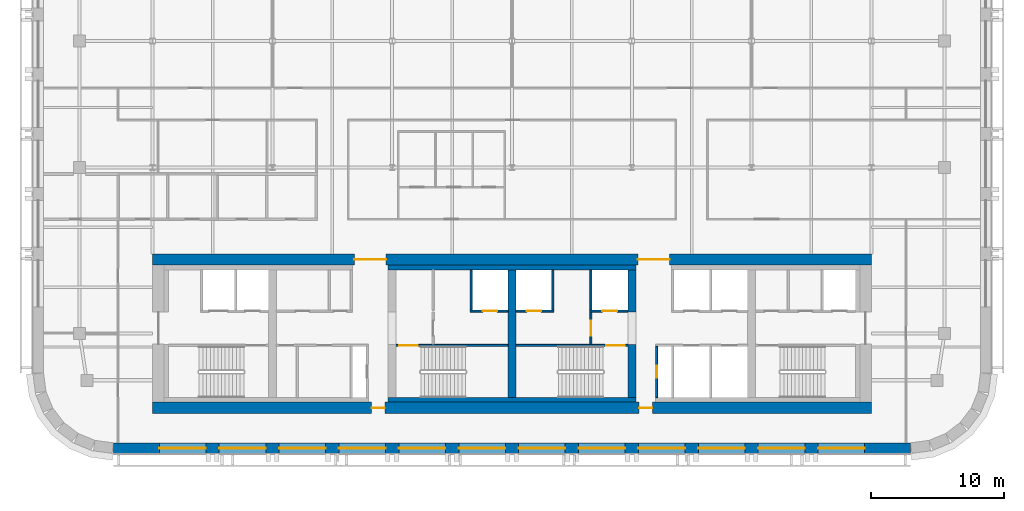
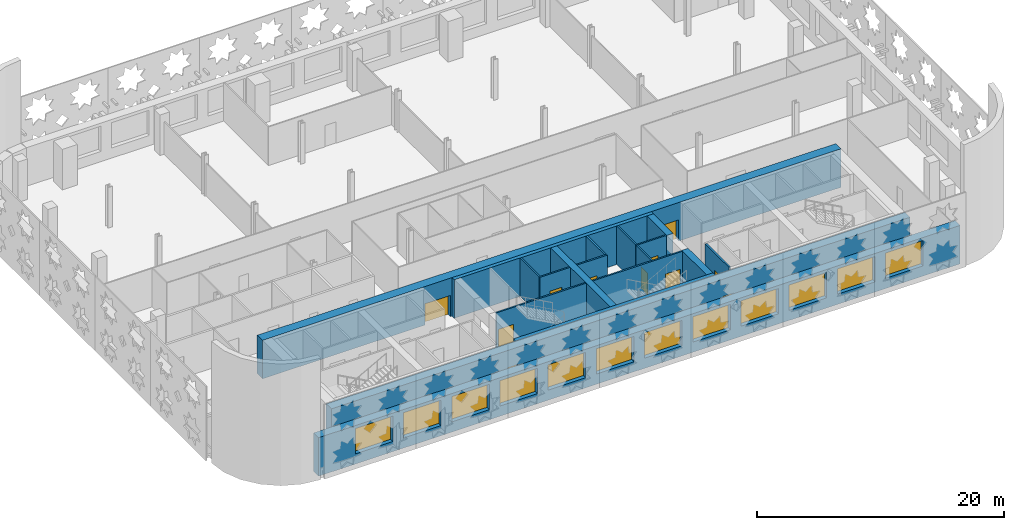
# One storey, part 5 of 14: 18 walls, 12 windows, 11 doors, 23 openings.
"""IFC4 building model written with IfcOpenShell, lengths in metres."""

import ifcopenshell
import ifcopenshell.guid

model = None  # the IFC model being written
_history = None  # IfcOwnerHistory: only IFC2X3 demands one
_inside = {}  # id of a spatial element -> (the spatial element, [elements in it])
_under = {}  # id of a project, library or spatial element -> (it, [spatial elements below it])
_declared = {}  # id of a project -> (the project, [libraries it declares])
_typed = {}  # id of a type object -> (the type object, [elements of that type])
_made_of = {}  # id of a material, layer set ... -> (it, [elements and type objects made of it])


def new_model(schema):
    """Start an empty IFC model of exactly this schema.

    Asked for "IFC4X3", IfcOpenShell would pick the latest addendum, in which some entities
    have other attributes; the version numbers below select the first issue.
    IFC2X3 requires an IfcOwnerHistory on every rooted entity: one is made here for all.
    """
    global model, _history
    if schema == "IFC4X3":
        model = ifcopenshell.file(schema_version=(4, 3, 0, 0))
    else:
        model = ifcopenshell.file(schema=schema)
    _inside.clear()
    _under.clear()
    _declared.clear()
    _typed.clear()
    _made_of.clear()
    _history = None
    if model.schema == "IFC2X3":
        org = make("IfcOrganization", Name="unknown")
        user = make(
            "IfcPersonAndOrganization",
            ThePerson=make("IfcPerson", FamilyName="unknown"),
            TheOrganization=org,
        )
        app = make(
            "IfcApplication",
            ApplicationDeveloper=org,
            Version="unknown",
            ApplicationFullName="unknown",
            ApplicationIdentifier="unknown",
        )
        _history = make(
            "IfcOwnerHistory",
            OwningUser=user,
            OwningApplication=app,
            ChangeAction="ADDED",
            CreationDate=0,
        )
    return model


def make(cls, **values):
    """One entity of the class cls with the attributes given. An attribute that is None is left unset."""
    return model.create_entity(
        cls, **{name: value for name, value in values.items() if value is not None}
    )


def rooted(cls, **values):
    """An entity with a GlobalId (a new one), such as an element, a storey or a relation."""
    return make(cls, GlobalId=ifcopenshell.guid.new(), OwnerHistory=_history, **values)


def si_unit(unit_type, name, prefix=None):
    """IfcSIUnit, for example si_unit("LENGTHUNIT", "METRE", prefix="MILLI")."""
    return make("IfcSIUnit", UnitType=unit_type, Prefix=prefix, Name=name)


def assignment(units):
    """IfcUnitAssignment: the units of a project."""
    return None if units is None else make("IfcUnitAssignment", Units=units)


def point(xyz):
    """IfcCartesianPoint."""
    return None if xyz is None else make("IfcCartesianPoint", Coordinates=xyz)


def direction(xyz):
    """IfcDirection."""
    return None if xyz is None else make("IfcDirection", DirectionRatios=xyz)


def frame(location, z_axis=None, x_axis=None):
    """IfcAxis2Placement3D, a coordinate frame: its origin and axes. An axis left out is left unset."""
    return make(
        "IfcAxis2Placement3D",
        Location=point(location),
        Axis=direction(z_axis),
        RefDirection=direction(x_axis),
    )


def frame_2d(location, x_axis=None):
    """IfcAxis2Placement2D, a coordinate frame in the plane: its origin and x axis."""
    return make(
        "IfcAxis2Placement2D", Location=point(location), RefDirection=direction(x_axis)
    )


def origin():
    """The frame at (0, 0, 0) with its axes left unset."""
    return frame((0.0, 0.0, 0.0))


def place(relative_to, where):
    """IfcLocalPlacement: puts the frame where relative to a parent placement (None: the world)."""
    return make(
        "IfcLocalPlacement", PlacementRelTo=relative_to, RelativePlacement=where
    )


def context(
    kind, dimensions, precision=None, world=None, true_north=None, identifier=None
):
    """IfcGeometricRepresentationContext, for example the 3D "Model" context."""
    return make(
        "IfcGeometricRepresentationContext",
        ContextIdentifier=identifier,
        ContextType=kind,
        CoordinateSpaceDimension=dimensions,
        Precision=precision,
        WorldCoordinateSystem=world,
        TrueNorth=true_north,
    )


def subcontext(parent, identifier, kind, view, scale=None):
    """IfcGeometricRepresentationSubContext, for example "Body" below "Model"."""
    return make(
        "IfcGeometricRepresentationSubContext",
        ContextIdentifier=identifier,
        ContextType=kind,
        ParentContext=parent,
        TargetScale=scale,
        TargetView=view,
    )


def project(units=None, contexts=None):
    """IfcProject with its units and contexts."""
    return rooted(
        "IfcProject",
        Name="project",
        RepresentationContexts=contexts,
        UnitsInContext=assignment(units),
    )


def spatial(cls, under=None, at=None, **own):
    """A site, building, storey or space (cls), placed at a placement, below another one or the project."""
    s = rooted(cls, ObjectPlacement=at, **own)
    if under is not None:
        _under.setdefault(under.id(), (under, []))[1].append(s)
    return s


def profile(cls, at=None, kind="AREA", **sizes):
    """A parametric profile (cls). Its sizes go by their IFC names, for example OverallWidth=200.0."""
    return make(cls, ProfileType=kind, Position=at, **sizes)


def rectangle(**sizes):
    """IfcRectangleProfileDef."""
    return profile("IfcRectangleProfileDef", **sizes)


def extrude(swept, where, along, depth):
    """IfcExtrudedAreaSolid: the profile swept, set in the frame where, extruded along a direction by depth."""
    return make(
        "IfcExtrudedAreaSolid",
        SweptArea=swept,
        Position=where,
        ExtrudedDirection=direction(along),
        Depth=depth,
    )


def shape(context_of_items, identifier, shape_type, items):
    """IfcShapeRepresentation: the items that make up one representation, for example the "Body"."""
    return make(
        "IfcShapeRepresentation",
        ContextOfItems=context_of_items,
        RepresentationIdentifier=identifier,
        RepresentationType=shape_type,
        Items=items,
    )


def material(Name=None, Category=None):
    """IfcMaterial."""
    return make("IfcMaterial", Name=Name, Category=Category)


def layer(
    of_material, thickness, ventilated=None, Name=None, Category=None, Priority=None
):
    """IfcMaterialLayer: one layer of a wall or slab, of a material (None: an air gap)."""
    return make(
        "IfcMaterialLayer",
        Material=of_material,
        LayerThickness=thickness,
        IsVentilated=ventilated,
        Name=Name,
        Category=Category,
        Priority=Priority,
    )


def layer_set(layers, Name=None):
    """IfcMaterialLayerSet."""
    return make("IfcMaterialLayerSet", MaterialLayers=layers, LayerSetName=Name)


def made_of(thing, what):
    """Note that an element or type object is made of a material, layer set ...; save() writes the relation."""
    if what is not None:
        _made_of.setdefault(what.id(), (what, []))[1].append(thing)
    return thing


def type_object(cls, material=None, **own):
    """A type object (cls), such as IfcWallType, which elements share."""
    return made_of(rooted(cls, **own), material)


def element(
    cls,
    number,
    at=None,
    inside=None,
    cuts=None,
    type_object=None,
    material=None,
    context=None,
    identifier="Body",
    shape_type=None,
    held_by="IfcProductDefinitionShape",
    body=None,
    shapes=None,
    **own,
):
    """One element of the class cls, such as IfcWall. Its Tag is "e" and its number.

    at: its placement. inside: the storey or other place that contains it. cuts: it is an
    opening in that element (IfcRelVoidsElement). A single representation is given by context,
    identifier, shape_type and body (its items); several are given by shapes. held_by: the class
    of the entity that holds the representations. save() writes the other relations.
    """
    e = rooted(cls, Tag="e%d" % number, ObjectPlacement=at, **own)
    if body is not None:
        shapes = [shape(context, identifier, shape_type, body)]
    if shapes is not None:
        e.Representation = make(held_by, Representations=shapes)
    if inside is not None:
        _inside.setdefault(inside.id(), (inside, []))[1].append(e)
    if cuts is not None:
        rooted(
            "IfcRelVoidsElement", RelatingBuildingElement=cuts, RelatedOpeningElement=e
        )
    if type_object is not None:
        _typed.setdefault(type_object.id(), (type_object, []))[1].append(e)
    return made_of(e, material)


def fill(opening, filler):
    """IfcRelFillsElement: the door or window that sits in an opening."""
    return rooted(
        "IfcRelFillsElement",
        RelatingOpeningElement=opening,
        RelatedBuildingElement=filler,
    )


def aggregate(whole, parts):
    """IfcRelAggregates: a whole, such as a stair, and the parts it consists of."""
    return rooted("IfcRelAggregates", RelatingObject=whole, RelatedObjects=parts)


def save(model, path):
    """Write the relations noted so far, then the file.

    IfcRelAggregates (storeys below a building ...), IfcRelContainedInSpatialStructure (elements
    in a storey), IfcRelDefinesByType, IfcRelAssociatesMaterial and IfcRelDeclares: one each for
    every whole, place, type object, material and project.
    """
    for whole, parts in _under.values():
        aggregate(whole, parts)
    for where, things in _inside.values():
        rooted(
            "IfcRelContainedInSpatialStructure",
            RelatedElements=things,
            RelatingStructure=where,
        )
    for kind, things in _typed.values():
        rooted("IfcRelDefinesByType", RelatedObjects=things, RelatingType=kind)
    for what, things in _made_of.values():
        rooted("IfcRelAssociatesMaterial", RelatedObjects=things, RelatingMaterial=what)
    for by, libraries in _declared.values():
        rooted("IfcRelDeclares", RelatingContext=by, RelatedDefinitions=libraries)
    model.write(path)


model = new_model("IFC4")

# Units and contexts
model_context = context("Model", 3, precision=1e-05, world=origin(), true_north=direction((0.0, 1.0)))
body_context = subcontext(model_context, "Body", "Model", "MODEL_VIEW")
ifc_project = project(units=[si_unit("LENGTHUNIT", "METRE"), si_unit("AREAUNIT", "SQUARE_METRE"), si_unit("VOLUMEUNIT", "CUBIC_METRE"), si_unit("PLANEANGLEUNIT", "RADIAN"), si_unit("MASSUNIT", "GRAM", prefix="KILO")], contexts=[model_context])

# Site, building, storey
site_placement = place(None, origin())
site = spatial("IfcSite", under=ifc_project, at=site_placement, CompositionType="ELEMENT")
building_placement = place(site_placement, origin())
building = spatial("IfcBuilding", under=site, at=building_placement, Name="Zellij Exchange Tower", CompositionType="ELEMENT")
storey_placement = place(building_placement, frame((0.0, 0.0, 188.5)))
storey = spatial("IfcBuildingStorey", under=building, at=storey_placement, Name="L43", CompositionType="ELEMENT", Elevation=188.5)

# Walls
ifc_material_1 = material(Name="Concrete C60/75", Category="concrete")
ifc_layer_1 = layer(ifc_material_1, 0.60009765625)
ifc_layer_set_1 = layer_set([ifc_layer_1], Name="Concrete C60/75")
wall_type_1 = type_object("IfcWallType", Name="CORE-CW 600 C60/75", PredefinedType="SHEAR", material=ifc_layer_set_1)
wall_1_placement = place(storey_placement, frame((0.0, -12.800048828125, 0.0), z_axis=(0.0, 0.0, 1.0), x_axis=(0.0, 1.0, 0.0)))
element("IfcWall", 1, at=wall_1_placement, inside=storey, type_object=wall_type_1, Name="Core cross wall x 0 L43", PredefinedType="SHEAR", context=body_context, shape_type="SweptSolid", body=[
    extrude(rectangle(XDim=9.60009765625, YDim=0.60009765625, at=frame_2d((4.800048828125, 0.0))), origin(), (0.0, 0.0, 1.0), 3.800048828125),
])
wall_2_placement = place(storey_placement, frame((9.0, -12.800048828125, 0.0), z_axis=(0.0, 0.0, 1.0), x_axis=(0.0, 1.0, 0.0)))
element("IfcWall", 2, at=wall_2_placement, inside=storey, type_object=wall_type_1, Name="Core cross wall pier x 9 a L43", PredefinedType="SHEAR", context=body_context, shape_type="SweptSolid", body=[
    extrude(rectangle(XDim=4.0, YDim=0.60009765625, at=frame_2d((2.0, 0.0))), origin(), (0.0, 0.0, 1.0), 3.800048828125),
])
wall_3_placement = place(storey_placement, frame((9.0, -6.375, 0.0), z_axis=(0.0, 0.0, 1.0), x_axis=(0.0, 1.0, 0.0)))
element("IfcWall", 3, at=wall_3_placement, inside=storey, type_object=wall_type_1, Name="Core cross wall pier x 9 b L43", PredefinedType="SHEAR", context=body_context, shape_type="SweptSolid", body=[
    extrude(rectangle(XDim=3.175048828125, YDim=0.60009765625, at=frame_2d((1.58740234375, 0.0))), origin(), (0.0, 0.0, 1.0), 3.800048828125),
])
ifc_material_2 = material(Name="Concrete C30/37", Category="concrete")
ifc_layer_2 = layer(ifc_material_2, 0.35009765625)
ifc_layer_set_2 = layer_set([ifc_layer_2], Name="Concrete C30/37")
wall_type_2 = type_object("IfcWallType", Name="CORE-LW 350 C30/37", PredefinedType="SHEAR", material=ifc_layer_set_2)
for number, where, z_axis, x_axis, name in (
    (4, (-9.300048828125, -3.02490234375, 0.0), (0.0, 0.0, 1.0), (1.0, 0.0, 0.0), "Core wall lining front.1 L43"),
    (5, (-9.300048828125, -12.97509765625, 0.0), (0.0, 0.0, 1.0), (1.0, 0.0, 0.0), "Core wall lining rear.1 L43"),
):
    element("IfcWall", number, at=place(storey_placement, frame(where, z_axis=z_axis, x_axis=x_axis)), inside=storey, type_object=wall_type_2, Name=name, PredefinedType="SHEAR", context=body_context, shape_type="SweptSolid", body=[
        extrude(rectangle(XDim=18.60009765625, YDim=0.35009765625, at=frame_2d((9.300048828125, 0.0))), origin(), (0.0, 0.0, 1.0), 3.800048828125),
    ])

# Wall, opening, door
ifc_material_3 = material(Name="Gypsum shaft wall system")
ifc_layer_3 = layer(ifc_material_3, 0.14990234375)
ifc_layer_set_3 = layer_set([ifc_layer_3], Name="Gypsum shaft wall system")
wall_type_3 = type_object("IfcWallType", Name="CORE-PW 150 Firefighting lobby wall", PredefinedType="PARTITIONING", material=ifc_layer_set_3)
wall_4_placement = place(storey_placement, frame((5.925048828125, -8.800048828125, 0.0), z_axis=(0.0, 0.0, 1.0), x_axis=(0.0, 1.0, 0.0)))
wall_4 = element("IfcWall", 6, at=wall_4_placement, inside=storey, type_object=wall_type_3, Name="Firefighting lobby wall L43", PredefinedType="PARTITIONING", context=body_context, shape_type="SweptSolid", body=[
    extrude(rectangle(XDim=2.425048828125, YDim=0.14990234375, at=frame_2d((1.21240234375, 0.0))), origin(), (0.0, 0.0, 1.0), 3.800048828125),
])
opening_1_placement = place(wall_4_placement, frame((0.662109375, 0.0, 0.0)))
opening_1 = element("IfcOpeningElement", 7, at=opening_1_placement, cuts=wall_4, Name="Opening CA-23.16", PredefinedType="OPENING", context=body_context, shape_type="SweptSolid", body=[
    extrude(rectangle(XDim=1.10009765625, YDim=2.10009765625, at=frame_2d((0.550048828125, 1.050048828125))), frame((0.0, 0.0869140625, 0.0), z_axis=(0.0, -1.0, 0.0), x_axis=(1.0, 0.0, 0.0)), (0.0, 0.0, 1.0), 0.173828125),
])
ifc_material_4 = material(Name="Hollow metal fire door")
door_type_1 = type_object("IfcDoorType", Name="CORE-D F Firefighting lobby door 1100x2100 1 HR", OperationType="NOTDEFINED", PredefinedType="DOOR", material=ifc_material_4)
door_1_placement = place(opening_1_placement, origin())
door_1 = element("IfcDoor", 8, at=door_1_placement, inside=storey, type_object=door_type_1, Name="Firefighting lobby door CA-23.16", OperationType="SINGLE_SWING_RIGHT", OverallHeight=2.10009765625, OverallWidth=1.10009765625, PredefinedType="DOOR", context=body_context, shape_type="SweptSolid", body=[
    extrude(rectangle(XDim=1.10009765625, YDim=2.10009765625, at=frame_2d((0.550048828125, 1.050048828125))), frame((0.0, 0.02490234375, 0.0), z_axis=(0.0, -1.0, 0.0), x_axis=(1.0, 0.0, 0.0)), (0.0, 0.0, 1.0), 0.050048828125),
])
fill(opening_1, door_1)

ifc_material_5 = material(Name="Gypsum board partition")
ifc_layer_4 = layer(ifc_material_5, 0.14990234375)
ifc_layer_set_4 = layer_set([ifc_layer_4], Name="Gypsum board partition")
wall_type_4 = type_object("IfcWallType", Name="CORE-PW 150 Lift lobby wall", PredefinedType="PARTITIONING", material=ifc_layer_set_4)
wall_5_placement = place(storey_placement, frame((10.875, -12.800048828125, 0.0), z_axis=(0.0, 0.0, 1.0), x_axis=(0.0, 1.0, 0.0)))
wall_5 = element("IfcWall", 9, at=wall_5_placement, inside=storey, type_object=wall_type_4, Name="Lift lobby wall L43", PredefinedType="PARTITIONING", context=body_context, shape_type="SweptSolid", body=[
    extrude(rectangle(XDim=3.85009765625, YDim=0.14990234375, at=frame_2d((1.925048828125, 0.0))), origin(), (0.0, 0.0, 1.0), 3.800048828125),
])
opening_2_placement = place(wall_5_placement, frame((1.47509765625, 0.0, 0.0)))
opening_2 = element("IfcOpeningElement", 10, at=opening_2_placement, cuts=wall_5, Name="Opening CA-23.21", PredefinedType="OPENING", context=body_context, shape_type="SweptSolid", body=[
    extrude(rectangle(XDim=0.89990234375, YDim=2.10009765625, at=frame_2d((0.449951171875, 1.050048828125))), frame((0.0, 0.0869140625, 0.0), z_axis=(0.0, -1.0, 0.0), x_axis=(1.0, 0.0, 0.0)), (0.0, 0.0, 1.0), 0.173828125),
])
door_type_2 = type_object("IfcDoorType", Name="CORE-D RD Riser door 900x2100 1.5 HR", OperationType="NOTDEFINED", PredefinedType="DOOR", material=ifc_material_4)
door_2_placement = place(opening_2_placement, origin())
door_2 = element("IfcDoor", 11, at=door_2_placement, inside=storey, type_object=door_type_2, Name="Riser door CA-23.21", OperationType="SINGLE_SWING_LEFT", OverallHeight=2.10009765625, OverallWidth=0.89990234375, PredefinedType="DOOR", context=body_context, shape_type="SweptSolid", body=[
    extrude(rectangle(XDim=0.89990234375, YDim=2.10009765625, at=frame_2d((0.449951171875, 1.050048828125))), frame((0.0, 0.02490234375, 0.0), z_axis=(0.0, -1.0, 0.0), x_axis=(1.0, 0.0, 0.0)), (0.0, 0.0, 1.0), 0.050048828125),
])
fill(opening_2, door_2)

# Walls
ifc_layer_5 = layer(ifc_material_3, 0.14990234375)
ifc_layer_set_5 = layer_set([ifc_layer_5], Name="Gypsum shaft wall system")
wall_type_5 = type_object("IfcWallType", Name="CORE-PW 150 Lift shaft wall", PredefinedType="PARTITIONING", material=ifc_layer_set_5)
for number, where, z_axis, x_axis, name in (
    (12, (-3.074951171875, -6.22509765625, 0.0), (0.0, 0.0, 1.0), (0.0, 1.0, 0.0), "Lift shaft wall L43"),
    (13, (3.074951171875, -6.22509765625, 0.0), (0.0, 0.0, 1.0), (0.0, 1.0, 0.0), "Lift shaft wall L43"),
    (14, (5.925048828125, -6.22509765625, 0.0), (0.0, 0.0, 1.0), (0.0, 1.0, 0.0), "Lift shaft wall L43"),
):
    element("IfcWall", number, at=place(storey_placement, frame(where, z_axis=z_axis, x_axis=x_axis)), inside=storey, type_object=wall_type_5, Name=name, PredefinedType="PARTITIONING", context=body_context, shape_type="SweptSolid", body=[
        extrude(rectangle(XDim=3.025146484375, YDim=0.14990234375, at=frame_2d((1.5126953125, 0.0))), origin(), (0.0, 0.0, 1.0), 3.800048828125),
    ])

# Wall, opening, door
wall_6_placement = place(storey_placement, frame((-3.14990234375, -6.300048828125, 0.0), z_axis=(0.0, 0.0, 1.0), x_axis=(1.0, 0.0, 0.0)))
wall_6 = element("IfcWall", 15, at=wall_6_placement, inside=storey, type_object=wall_type_5, Name="Lift shaft wall L43", PredefinedType="PARTITIONING", context=body_context, shape_type="SweptSolid", body=[
    extrude(rectangle(XDim=2.849853515625, YDim=0.14990234375, at=frame_2d((1.4248046875, 0.0))), origin(), (0.0, 0.0, 1.0), 3.800048828125),
])
opening_3_placement = place(wall_6_placement, frame((0.949951171875, 0.0, 0.0)))
opening_3 = element("IfcOpeningElement", 16, at=opening_3_placement, cuts=wall_6, Name="Opening CA-23.14", PredefinedType="OPENING", context=body_context, shape_type="SweptSolid", body=[
    extrude(rectangle(XDim=1.10009765625, YDim=2.10009765625, at=frame_2d((0.550048828125, 1.050048828125))), frame((0.0, 0.0869140625, 0.0), z_axis=(0.0, -1.0, 0.0), x_axis=(1.0, 0.0, 0.0)), (0.0, 0.0, 1.0), 0.173828125),
])
door_type_3 = type_object("IfcDoorType", Name="CORE-D LD Lift landing door 1100x2100 1.5 HR", OperationType="NOTDEFINED", PredefinedType="DOOR", material=ifc_material_4)
door_3_placement = place(opening_3_placement, origin())
door_3 = element("IfcDoor", 17, at=door_3_placement, inside=storey, type_object=door_type_3, Name="Lift landing door CA-23.14", OperationType="SLIDING_TO_RIGHT", OverallHeight=2.10009765625, OverallWidth=1.10009765625, PredefinedType="DOOR", context=body_context, shape_type="SweptSolid", body=[
    extrude(rectangle(XDim=1.10009765625, YDim=2.10009765625, at=frame_2d((0.550048828125, 1.050048828125))), frame((0.0, 0.02490234375, 0.0), z_axis=(0.0, -1.0, 0.0), x_axis=(1.0, 0.0, 0.0)), (0.0, 0.0, 1.0), 0.050048828125),
])
fill(opening_3, door_3)

wall_7_placement = place(storey_placement, frame((0.300048828125, -6.300048828125, 0.0), z_axis=(0.0, 0.0, 1.0), x_axis=(1.0, 0.0, 0.0)))
wall_7 = element("IfcWall", 18, at=wall_7_placement, inside=storey, type_object=wall_type_5, Name="Lift shaft wall L43", PredefinedType="PARTITIONING", context=body_context, shape_type="SweptSolid", body=[
    extrude(rectangle(XDim=2.849853515625, YDim=0.14990234375, at=frame_2d((1.4248046875, 0.0))), origin(), (0.0, 0.0, 1.0), 3.800048828125),
])
opening_4_placement = place(wall_7_placement, frame((0.800048828125, 0.0, 0.0)))
opening_4 = element("IfcOpeningElement", 19, at=opening_4_placement, cuts=wall_7, Name="Opening CA-23.15", PredefinedType="OPENING", context=body_context, shape_type="SweptSolid", body=[
    extrude(rectangle(XDim=1.10009765625, YDim=2.10009765625, at=frame_2d((0.550048828125, 1.050048828125))), frame((0.0, 0.0869140625, 0.0), z_axis=(0.0, -1.0, 0.0), x_axis=(1.0, 0.0, 0.0)), (0.0, 0.0, 1.0), 0.173828125),
])
door_4_placement = place(opening_4_placement, origin())
door_4 = element("IfcDoor", 20, at=door_4_placement, inside=storey, type_object=door_type_3, Name="Lift landing door CA-23.15", OperationType="SLIDING_TO_LEFT", OverallHeight=2.10009765625, OverallWidth=1.10009765625, PredefinedType="DOOR", context=body_context, shape_type="SweptSolid", body=[
    extrude(rectangle(XDim=1.10009765625, YDim=2.10009765625, at=frame_2d((0.550048828125, 1.050048828125))), frame((0.0, 0.02490234375, 0.0), z_axis=(0.0, -1.0, 0.0), x_axis=(1.0, 0.0, 0.0)), (0.0, 0.0, 1.0), 0.050048828125),
])
fill(opening_4, door_4)

wall_8_placement = place(storey_placement, frame((5.85009765625, -6.300048828125, 0.0), z_axis=(0.0, 0.0, 1.0), x_axis=(1.0, 0.0, 0.0)))
wall_8 = element("IfcWall", 21, at=wall_8_placement, inside=storey, type_object=wall_type_5, Name="Lift shaft wall L43", PredefinedType="PARTITIONING", context=body_context, shape_type="SweptSolid", body=[
    extrude(rectangle(XDim=2.849853515625, YDim=0.14990234375, at=frame_2d((1.4248046875, 0.0))), origin(), (0.0, 0.0, 1.0), 3.800048828125),
])
opening_5_placement = place(wall_8_placement, frame((0.949951171875, 0.0, 0.0)))
opening_5 = element("IfcOpeningElement", 22, at=opening_5_placement, cuts=wall_8, Name="Opening CA-23.17", PredefinedType="OPENING", context=body_context, shape_type="SweptSolid", body=[
    extrude(rectangle(XDim=1.10009765625, YDim=2.10009765625, at=frame_2d((0.550048828125, 1.050048828125))), frame((0.0, 0.0869140625, 0.0), z_axis=(0.0, -1.0, 0.0), x_axis=(1.0, 0.0, 0.0)), (0.0, 0.0, 1.0), 0.173828125),
])
door_5_placement = place(opening_5_placement, origin())
door_5 = element("IfcDoor", 23, at=door_5_placement, inside=storey, type_object=door_type_3, Name="Lift landing door CA-23.17", OperationType="SLIDING_TO_LEFT", OverallHeight=2.10009765625, OverallWidth=1.10009765625, PredefinedType="DOOR", context=body_context, shape_type="SweptSolid", body=[
    extrude(rectangle(XDim=1.10009765625, YDim=2.10009765625, at=frame_2d((0.550048828125, 1.050048828125))), frame((0.0, 0.02490234375, 0.0), z_axis=(0.0, -1.0, 0.0), x_axis=(1.0, 0.0, 0.0)), (0.0, 0.0, 1.0), 0.050048828125),
])
fill(opening_5, door_5)

# Wall, openings, doors
ifc_layer_6 = layer(ifc_material_1, 0.85009765625)
ifc_layer_set_6 = layer_set([ifc_layer_6], Name="Concrete C60/75")
wall_type_6 = type_object("IfcWallType", Name="CORE-SW 850 C60/75", PredefinedType="SHEAR", material=ifc_layer_set_6)
wall_9_placement = place(storey_placement, frame((-27.0, -2.425048828125, 0.0), z_axis=(0.0, 0.0, 1.0), x_axis=(1.0, 0.0, 0.0)))
wall_9 = element("IfcWall", 24, at=wall_9_placement, inside=storey, type_object=wall_type_6, Name="Core shear wall front L43", PredefinedType="SHEAR", context=body_context, shape_type="SweptSolid", body=[
    extrude(rectangle(XDim=54.0, YDim=0.85009765625, at=frame_2d((27.0, 0.0))), origin(), (0.0, 0.0, 1.0), 3.800048828125),
])
opening_6_placement = place(wall_9_placement, frame((15.14990234375, 0.0, 0.0)))
opening_6 = element("IfcOpeningElement", 25, at=opening_6_placement, cuts=wall_9, Name="Opening CA-23.10", PredefinedType="OPENING", context=body_context, shape_type="SweptSolid", body=[
    extrude(rectangle(XDim=2.39990234375, YDim=2.10009765625, at=frame_2d((1.199951171875, 1.050048828125))), frame((0.0, 0.43701171875, 0.0), z_axis=(0.0, -1.0, 0.0), x_axis=(1.0, 0.0, 0.0)), (0.0, 0.0, 1.0), 0.8740234375),
])
opening_7_placement = place(wall_9_placement, frame((36.449951171875, 0.0, 0.0)))
opening_7 = element("IfcOpeningElement", 26, at=opening_7_placement, cuts=wall_9, Name="Opening CA-23.20", PredefinedType="OPENING", context=body_context, shape_type="SweptSolid", body=[
    extrude(rectangle(XDim=2.39990234375, YDim=2.10009765625, at=frame_2d((1.199951171875, 1.050048828125))), frame((0.0, 0.43701171875, 0.0), z_axis=(0.0, -1.0, 0.0), x_axis=(1.0, 0.0, 0.0)), (0.0, 0.0, 1.0), 0.8740234375),
])
door_type_4 = type_object("IfcDoorType", Name="CORE-D CE Core entrance door 2400x2100 20 MIN", OperationType="NOTDEFINED", PredefinedType="DOOR", material=ifc_material_4)
door_6_placement = place(opening_6_placement, origin())
door_6 = element("IfcDoor", 27, at=door_6_placement, inside=storey, type_object=door_type_4, Name="Core entrance door CA-23.10", OperationType="DOUBLE_DOOR_SINGLE_SWING", OverallHeight=2.10009765625, OverallWidth=2.39990234375, PredefinedType="DOOR", context=body_context, shape_type="SweptSolid", body=[
    extrude(rectangle(XDim=2.39990234375, YDim=2.10009765625, at=frame_2d((1.199951171875, 1.050048828125))), frame((0.0, 0.02490234375, 0.0), z_axis=(0.0, -1.0, 0.0), x_axis=(1.0, 0.0, 0.0)), (0.0, 0.0, 1.0), 0.050048828125),
])
fill(opening_6, door_6)
door_7_placement = place(opening_7_placement, origin())
door_7 = element("IfcDoor", 28, at=door_7_placement, inside=storey, type_object=door_type_4, Name="Core entrance door CA-23.20", OperationType="DOUBLE_DOOR_SINGLE_SWING", OverallHeight=2.10009765625, OverallWidth=2.39990234375, PredefinedType="DOOR", context=body_context, shape_type="SweptSolid", body=[
    extrude(rectangle(XDim=2.39990234375, YDim=2.10009765625, at=frame_2d((1.199951171875, 1.050048828125))), frame((0.0, 0.02490234375, 0.0), z_axis=(0.0, -1.0, 0.0), x_axis=(1.0, 0.0, 0.0)), (0.0, 0.0, 1.0), 0.050048828125),
])
fill(opening_7, door_7)

wall_10_placement = place(storey_placement, frame((-27.0, -13.574951171875, 0.0), z_axis=(0.0, 0.0, 1.0), x_axis=(1.0, 0.0, 0.0)))
wall_10 = element("IfcWall", 29, at=wall_10_placement, inside=storey, type_object=wall_type_6, Name="Core shear wall rear L43", PredefinedType="SHEAR", context=body_context, shape_type="SweptSolid", body=[
    extrude(rectangle(XDim=54.0, YDim=0.85009765625, at=frame_2d((27.0, 0.0))), origin(), (0.0, 0.0, 1.0), 3.800048828125),
])
opening_8_placement = place(wall_10_placement, frame((16.449951171875, 0.0, 0.0)))
opening_8 = element("IfcOpeningElement", 30, at=opening_8_placement, cuts=wall_10, Name="Opening CA-23.11", PredefinedType="OPENING", context=body_context, shape_type="SweptSolid", body=[
    extrude(rectangle(XDim=1.0, YDim=2.10009765625, at=frame_2d((0.5, 1.050048828125))), frame((0.0, 0.43701171875, 0.0), z_axis=(0.0, -1.0, 0.0), x_axis=(1.0, 0.0, 0.0)), (0.0, 0.0, 1.0), 0.8740234375),
])
opening_9_placement = place(wall_10_placement, frame((36.550048828125, 0.0, 0.0)))
opening_9 = element("IfcOpeningElement", 31, at=opening_9_placement, cuts=wall_10, Name="Opening CA-23.19", PredefinedType="OPENING", context=body_context, shape_type="SweptSolid", body=[
    extrude(rectangle(XDim=1.0, YDim=2.10009765625, at=frame_2d((0.5, 1.050048828125))), frame((0.0, 0.43701171875, 0.0), z_axis=(0.0, -1.0, 0.0), x_axis=(1.0, 0.0, 0.0)), (0.0, 0.0, 1.0), 0.8740234375),
])
door_type_5 = type_object("IfcDoorType", Name="CORE-D CR Core rear door 1000x2100 20 MIN", OperationType="NOTDEFINED", PredefinedType="DOOR", material=ifc_material_4)
door_8_placement = place(opening_8_placement, origin())
door_8 = element("IfcDoor", 32, at=door_8_placement, inside=storey, type_object=door_type_5, Name="Core rear door CA-23.11", OperationType="SINGLE_SWING_RIGHT", OverallHeight=2.10009765625, OverallWidth=1.0, PredefinedType="DOOR", context=body_context, shape_type="SweptSolid", body=[
    extrude(rectangle(XDim=1.0, YDim=2.10009765625, at=frame_2d((0.5, 1.050048828125))), frame((0.0, 0.02490234375, 0.0), z_axis=(0.0, -1.0, 0.0), x_axis=(1.0, 0.0, 0.0)), (0.0, 0.0, 1.0), 0.050048828125),
])
fill(opening_8, door_8)
door_9_placement = place(opening_9_placement, origin())
door_9 = element("IfcDoor", 33, at=door_9_placement, inside=storey, type_object=door_type_5, Name="Core rear door CA-23.19", OperationType="SINGLE_SWING_LEFT", OverallHeight=2.10009765625, OverallWidth=1.0, PredefinedType="DOOR", context=body_context, shape_type="SweptSolid", body=[
    extrude(rectangle(XDim=1.0, YDim=2.10009765625, at=frame_2d((0.5, 1.050048828125))), frame((0.0, 0.02490234375, 0.0), z_axis=(0.0, -1.0, 0.0), x_axis=(1.0, 0.0, 0.0)), (0.0, 0.0, 1.0), 0.050048828125),
])
fill(opening_9, door_9)

# Wall, opening, door
ifc_layer_7 = layer(ifc_material_1, 0.14990234375)
ifc_layer_set_7 = layer_set([ifc_layer_7], Name="Concrete C60/75")
wall_type_7 = type_object("IfcWallType", Name="CORE-SWS 150 C60/75", PredefinedType="SHEAR", material=ifc_layer_set_7)
wall_11_placement = place(storey_placement, frame((-8.699951171875, -8.875, 0.0), z_axis=(0.0, 0.0, 1.0), x_axis=(1.0, 0.0, 0.0)))
wall_11 = element("IfcWall", 34, at=wall_11_placement, inside=storey, type_object=wall_type_7, Name="Stair enclosure wall L43", PredefinedType="SHEAR", context=body_context, shape_type="SweptSolid", body=[
    extrude(rectangle(XDim=8.39990234375, YDim=0.14990234375, at=frame_2d((4.199951171875, 0.0))), origin(), (0.0, 0.0, 1.0), 3.800048828125),
])
opening_10_placement = place(wall_11_placement, frame((0.22509765625, 0.0, 0.0)))
opening_10 = element("IfcOpeningElement", 35, at=opening_10_placement, cuts=wall_11, Name="Opening CA-23.12", PredefinedType="OPENING", context=body_context, shape_type="SweptSolid", body=[
    extrude(rectangle(XDim=1.39990234375, YDim=2.10009765625, at=frame_2d((0.699951171875, 1.050048828125))), frame((0.0, 0.0869140625, 0.0), z_axis=(0.0, -1.0, 0.0), x_axis=(1.0, 0.0, 0.0)), (0.0, 0.0, 1.0), 0.173828125),
])
door_type_6 = type_object("IfcDoorType", Name="CORE-D SD Stair door 1400x2100 1.5 HR", OperationType="NOTDEFINED", PredefinedType="DOOR", material=ifc_material_4)
door_10_placement = place(opening_10_placement, origin())
door_10 = element("IfcDoor", 36, at=door_10_placement, inside=storey, type_object=door_type_6, Name="Stair door CA-23.12", OperationType="DOUBLE_DOOR_SINGLE_SWING", OverallHeight=2.10009765625, OverallWidth=1.39990234375, PredefinedType="DOOR", context=body_context, shape_type="SweptSolid", body=[
    extrude(rectangle(XDim=1.39990234375, YDim=2.10009765625, at=frame_2d((0.699951171875, 1.050048828125))), frame((0.0, 0.02490234375, 0.0), z_axis=(0.0, -1.0, 0.0), x_axis=(1.0, 0.0, 0.0)), (0.0, 0.0, 1.0), 0.050048828125),
])
fill(opening_10, door_10)

wall_12_placement = place(storey_placement, frame((0.300048828125, -8.875, 0.0), z_axis=(0.0, 0.0, 1.0), x_axis=(1.0, 0.0, 0.0)))
wall_12 = element("IfcWall", 37, at=wall_12_placement, inside=storey, type_object=wall_type_7, Name="Stair enclosure wall L43", PredefinedType="SHEAR", context=body_context, shape_type="SweptSolid", body=[
    extrude(rectangle(XDim=8.39990234375, YDim=0.14990234375, at=frame_2d((4.199951171875, 0.0))), origin(), (0.0, 0.0, 1.0), 3.800048828125),
])
opening_11_placement = place(wall_12_placement, frame((6.77490234375, 0.0, 0.0)))
opening_11 = element("IfcOpeningElement", 38, at=opening_11_placement, cuts=wall_12, Name="Opening CA-23.18", PredefinedType="OPENING", context=body_context, shape_type="SweptSolid", body=[
    extrude(rectangle(XDim=1.39990234375, YDim=2.10009765625, at=frame_2d((0.699951171875, 1.050048828125))), frame((0.0, 0.0869140625, 0.0), z_axis=(0.0, -1.0, 0.0), x_axis=(1.0, 0.0, 0.0)), (0.0, 0.0, 1.0), 0.173828125),
])
door_11_placement = place(opening_11_placement, origin())
door_11 = element("IfcDoor", 39, at=door_11_placement, inside=storey, type_object=door_type_6, Name="Stair door CA-23.18", OperationType="DOUBLE_DOOR_SINGLE_SWING", OverallHeight=2.10009765625, OverallWidth=1.39990234375, PredefinedType="DOOR", context=body_context, shape_type="SweptSolid", body=[
    extrude(rectangle(XDim=1.39990234375, YDim=2.10009765625, at=frame_2d((0.699951171875, 1.050048828125))), frame((0.0, 0.02490234375, 0.0), z_axis=(0.0, -1.0, 0.0), x_axis=(1.0, 0.0, 0.0)), (0.0, 0.0, 1.0), 0.050048828125),
])
fill(opening_11, door_11)

# Wall, openings, windows
ifc_material_6 = material(Name="Precast concrete C40/50", Category="concrete")
ifc_layer_8 = layer(ifc_material_6, 0.800048828125)
ifc_layer_set_8 = layer_set([ifc_layer_8], Name="Precast concrete C40/50")
wall_type_8 = type_object("IfcWallType", Name="ENV-EW1 Precast stone-piered wall 800", PredefinedType="SOLIDWALL", material=ifc_layer_set_8)
wall_13_placement = place(storey_placement, frame((-29.947509765625, -16.60009765625, 0.0), z_axis=(0.0, 0.0, 1.0), x_axis=(1.0, 0.0, 0.0)))
wall_13 = element("IfcWall", 40, at=wall_13_placement, inside=storey, type_object=wall_type_8, Name="fac.L43.00", PredefinedType="SOLIDWALL", context=body_context, shape_type="SweptSolid", body=[
    extrude(rectangle(XDim=59.89501953125, YDim=0.800048828125, at=frame_2d((29.947509765625, 0.0))), origin(), (0.0, 0.0, 1.0), 3.800048828125),
])
opening_12_placement = place(wall_13_placement, frame((3.447509765625, 0.0, 1.0)))
opening_12 = element("IfcOpeningElement", 41, at=opening_12_placement, cuts=wall_13, Name="Opening FZ3.01", PredefinedType="OPENING", context=body_context, shape_type="SweptSolid", body=[
    extrude(rectangle(XDim=3.5, YDim=2.5, at=frame_2d((1.75, 1.25))), frame((0.0, 0.412109375, 0.0), z_axis=(0.0, -1.0, 0.0), x_axis=(1.0, 0.0, 0.0)), (0.0, 0.0, 1.0), 0.823974609375),
])
opening_13_placement = place(wall_13_placement, frame((7.947509765625, 0.0, 1.0)))
opening_13 = element("IfcOpeningElement", 42, at=opening_13_placement, cuts=wall_13, Name="Opening FZ3.02", PredefinedType="OPENING", context=body_context, shape_type="SweptSolid", body=[
    extrude(rectangle(XDim=3.5, YDim=2.5, at=frame_2d((1.75, 1.25))), frame((0.0, 0.412109375, 0.0), z_axis=(0.0, -1.0, 0.0), x_axis=(1.0, 0.0, 0.0)), (0.0, 0.0, 1.0), 0.823974609375),
])
opening_14_placement = place(wall_13_placement, frame((12.447509765625, 0.0, 1.0)))
opening_14 = element("IfcOpeningElement", 43, at=opening_14_placement, cuts=wall_13, Name="Opening FZ3.03", PredefinedType="OPENING", context=body_context, shape_type="SweptSolid", body=[
    extrude(rectangle(XDim=3.5, YDim=2.5, at=frame_2d((1.75, 1.25))), frame((0.0, 0.412109375, 0.0), z_axis=(0.0, -1.0, 0.0), x_axis=(1.0, 0.0, 0.0)), (0.0, 0.0, 1.0), 0.823974609375),
])
opening_15_placement = place(wall_13_placement, frame((16.947509765625, 0.0, 1.0)))
opening_15 = element("IfcOpeningElement", 44, at=opening_15_placement, cuts=wall_13, Name="Opening FZ3.04", PredefinedType="OPENING", context=body_context, shape_type="SweptSolid", body=[
    extrude(rectangle(XDim=3.5, YDim=2.5, at=frame_2d((1.75, 1.25))), frame((0.0, 0.412109375, 0.0), z_axis=(0.0, -1.0, 0.0), x_axis=(1.0, 0.0, 0.0)), (0.0, 0.0, 1.0), 0.823974609375),
])
opening_16_placement = place(wall_13_placement, frame((21.447509765625, 0.0, 1.0)))
opening_16 = element("IfcOpeningElement", 45, at=opening_16_placement, cuts=wall_13, Name="Opening FZ3.05", PredefinedType="OPENING", context=body_context, shape_type="SweptSolid", body=[
    extrude(rectangle(XDim=3.5, YDim=2.5, at=frame_2d((1.75, 1.25))), frame((0.0, 0.412109375, 0.0), z_axis=(0.0, -1.0, 0.0), x_axis=(1.0, 0.0, 0.0)), (0.0, 0.0, 1.0), 0.823974609375),
])
opening_17_placement = place(wall_13_placement, frame((25.947509765625, 0.0, 1.0)))
opening_17 = element("IfcOpeningElement", 46, at=opening_17_placement, cuts=wall_13, Name="Opening FZ3.06", PredefinedType="OPENING", context=body_context, shape_type="SweptSolid", body=[
    extrude(rectangle(XDim=3.5, YDim=2.5, at=frame_2d((1.75, 1.25))), frame((0.0, 0.412109375, 0.0), z_axis=(0.0, -1.0, 0.0), x_axis=(1.0, 0.0, 0.0)), (0.0, 0.0, 1.0), 0.823974609375),
])
opening_18_placement = place(wall_13_placement, frame((30.447509765625, 0.0, 1.0)))
opening_18 = element("IfcOpeningElement", 47, at=opening_18_placement, cuts=wall_13, Name="Opening FZ3.07", PredefinedType="OPENING", context=body_context, shape_type="SweptSolid", body=[
    extrude(rectangle(XDim=3.5, YDim=2.5, at=frame_2d((1.75, 1.25))), frame((0.0, 0.412109375, 0.0), z_axis=(0.0, -1.0, 0.0), x_axis=(1.0, 0.0, 0.0)), (0.0, 0.0, 1.0), 0.823974609375),
])
opening_19_placement = place(wall_13_placement, frame((34.947509765625, 0.0, 1.0)))
opening_19 = element("IfcOpeningElement", 48, at=opening_19_placement, cuts=wall_13, Name="Opening FZ3.08", PredefinedType="OPENING", context=body_context, shape_type="SweptSolid", body=[
    extrude(rectangle(XDim=3.5, YDim=2.5, at=frame_2d((1.75, 1.25))), frame((0.0, 0.412109375, 0.0), z_axis=(0.0, -1.0, 0.0), x_axis=(1.0, 0.0, 0.0)), (0.0, 0.0, 1.0), 0.823974609375),
])
opening_20_placement = place(wall_13_placement, frame((39.447509765625, 0.0, 1.0)))
opening_20 = element("IfcOpeningElement", 49, at=opening_20_placement, cuts=wall_13, Name="Opening FZ3.09", PredefinedType="OPENING", context=body_context, shape_type="SweptSolid", body=[
    extrude(rectangle(XDim=3.5, YDim=2.5, at=frame_2d((1.75, 1.25))), frame((0.0, 0.412109375, 0.0), z_axis=(0.0, -1.0, 0.0), x_axis=(1.0, 0.0, 0.0)), (0.0, 0.0, 1.0), 0.823974609375),
])
opening_21_placement = place(wall_13_placement, frame((43.947509765625, 0.0, 1.0)))
opening_21 = element("IfcOpeningElement", 50, at=opening_21_placement, cuts=wall_13, Name="Opening FZ3.10", PredefinedType="OPENING", context=body_context, shape_type="SweptSolid", body=[
    extrude(rectangle(XDim=3.5, YDim=2.5, at=frame_2d((1.75, 1.25))), frame((0.0, 0.412109375, 0.0), z_axis=(0.0, -1.0, 0.0), x_axis=(1.0, 0.0, 0.0)), (0.0, 0.0, 1.0), 0.823974609375),
])
opening_22_placement = place(wall_13_placement, frame((48.447509765625, 0.0, 1.0)))
opening_22 = element("IfcOpeningElement", 51, at=opening_22_placement, cuts=wall_13, Name="Opening FZ3.11", PredefinedType="OPENING", context=body_context, shape_type="SweptSolid", body=[
    extrude(rectangle(XDim=3.5, YDim=2.5, at=frame_2d((1.75, 1.25))), frame((0.0, 0.412109375, 0.0), z_axis=(0.0, -1.0, 0.0), x_axis=(1.0, 0.0, 0.0)), (0.0, 0.0, 1.0), 0.823974609375),
])
opening_23_placement = place(wall_13_placement, frame((52.947509765625, 0.0, 1.0)))
opening_23 = element("IfcOpeningElement", 52, at=opening_23_placement, cuts=wall_13, Name="Opening FZ3.12", PredefinedType="OPENING", context=body_context, shape_type="SweptSolid", body=[
    extrude(rectangle(XDim=3.5, YDim=2.5, at=frame_2d((1.75, 1.25))), frame((0.0, 0.412109375, 0.0), z_axis=(0.0, -1.0, 0.0), x_axis=(1.0, 0.0, 0.0)), (0.0, 0.0, 1.0), 0.823974609375),
])
ifc_material_7 = material(Name="Aluminium frame with insulating glass", Category="aluminium")
window_type = type_object("IfcWindowType", Name="ENV-W1 Window 3500x2500", PartitioningType="SINGLE_PANEL", PredefinedType="WINDOW", material=ifc_material_7)
window_1_placement = place(opening_12_placement, origin())
window_1 = element("IfcWindow", 53, at=window_1_placement, inside=storey, type_object=window_type, Name="Window FZ3.01", OverallHeight=2.5, OverallWidth=3.5, PartitioningType="SINGLE_PANEL", PredefinedType="WINDOW", context=body_context, shape_type="SweptSolid", body=[
    extrude(rectangle(XDim=3.5, YDim=2.5, at=frame_2d((1.75, 1.25))), frame((0.0, 0.030029296875, 0.0), z_axis=(0.0, -1.0, 0.0), x_axis=(1.0, 0.0, 0.0)), (0.0, 0.0, 1.0), 0.06005859375),
])
fill(opening_12, window_1)
window_2_placement = place(opening_13_placement, origin())
window_2 = element("IfcWindow", 54, at=window_2_placement, inside=storey, type_object=window_type, Name="Window FZ3.02", OverallHeight=2.5, OverallWidth=3.5, PartitioningType="SINGLE_PANEL", PredefinedType="WINDOW", context=body_context, shape_type="SweptSolid", body=[
    extrude(rectangle(XDim=3.5, YDim=2.5, at=frame_2d((1.75, 1.25))), frame((0.0, 0.030029296875, 0.0), z_axis=(0.0, -1.0, 0.0), x_axis=(1.0, 0.0, 0.0)), (0.0, 0.0, 1.0), 0.06005859375),
])
fill(opening_13, window_2)
window_3_placement = place(opening_14_placement, origin())
window_3 = element("IfcWindow", 55, at=window_3_placement, inside=storey, type_object=window_type, Name="Window FZ3.03", OverallHeight=2.5, OverallWidth=3.5, PartitioningType="SINGLE_PANEL", PredefinedType="WINDOW", context=body_context, shape_type="SweptSolid", body=[
    extrude(rectangle(XDim=3.5, YDim=2.5, at=frame_2d((1.75, 1.25))), frame((0.0, 0.030029296875, 0.0), z_axis=(0.0, -1.0, 0.0), x_axis=(1.0, 0.0, 0.0)), (0.0, 0.0, 1.0), 0.06005859375),
])
fill(opening_14, window_3)
window_4_placement = place(opening_15_placement, origin())
window_4 = element("IfcWindow", 56, at=window_4_placement, inside=storey, type_object=window_type, Name="Window FZ3.04", OverallHeight=2.5, OverallWidth=3.5, PartitioningType="SINGLE_PANEL", PredefinedType="WINDOW", context=body_context, shape_type="SweptSolid", body=[
    extrude(rectangle(XDim=3.5, YDim=2.5, at=frame_2d((1.75, 1.25))), frame((0.0, 0.030029296875, 0.0), z_axis=(0.0, -1.0, 0.0), x_axis=(1.0, 0.0, 0.0)), (0.0, 0.0, 1.0), 0.06005859375),
])
fill(opening_15, window_4)
window_5_placement = place(opening_16_placement, origin())
window_5 = element("IfcWindow", 57, at=window_5_placement, inside=storey, type_object=window_type, Name="Window FZ3.05", OverallHeight=2.5, OverallWidth=3.5, PartitioningType="SINGLE_PANEL", PredefinedType="WINDOW", context=body_context, shape_type="SweptSolid", body=[
    extrude(rectangle(XDim=3.5, YDim=2.5, at=frame_2d((1.75, 1.25))), frame((0.0, 0.030029296875, 0.0), z_axis=(0.0, -1.0, 0.0), x_axis=(1.0, 0.0, 0.0)), (0.0, 0.0, 1.0), 0.06005859375),
])
fill(opening_16, window_5)
window_6_placement = place(opening_17_placement, origin())
window_6 = element("IfcWindow", 58, at=window_6_placement, inside=storey, type_object=window_type, Name="Window FZ3.06", OverallHeight=2.5, OverallWidth=3.5, PartitioningType="SINGLE_PANEL", PredefinedType="WINDOW", context=body_context, shape_type="SweptSolid", body=[
    extrude(rectangle(XDim=3.5, YDim=2.5, at=frame_2d((1.75, 1.25))), frame((0.0, 0.030029296875, 0.0), z_axis=(0.0, -1.0, 0.0), x_axis=(1.0, 0.0, 0.0)), (0.0, 0.0, 1.0), 0.06005859375),
])
fill(opening_17, window_6)
window_7_placement = place(opening_18_placement, origin())
window_7 = element("IfcWindow", 59, at=window_7_placement, inside=storey, type_object=window_type, Name="Window FZ3.07", OverallHeight=2.5, OverallWidth=3.5, PartitioningType="SINGLE_PANEL", PredefinedType="WINDOW", context=body_context, shape_type="SweptSolid", body=[
    extrude(rectangle(XDim=3.5, YDim=2.5, at=frame_2d((1.75, 1.25))), frame((0.0, 0.030029296875, 0.0), z_axis=(0.0, -1.0, 0.0), x_axis=(1.0, 0.0, 0.0)), (0.0, 0.0, 1.0), 0.06005859375),
])
fill(opening_18, window_7)
window_8_placement = place(opening_19_placement, origin())
window_8 = element("IfcWindow", 60, at=window_8_placement, inside=storey, type_object=window_type, Name="Window FZ3.08", OverallHeight=2.5, OverallWidth=3.5, PartitioningType="SINGLE_PANEL", PredefinedType="WINDOW", context=body_context, shape_type="SweptSolid", body=[
    extrude(rectangle(XDim=3.5, YDim=2.5, at=frame_2d((1.75, 1.25))), frame((0.0, 0.030029296875, 0.0), z_axis=(0.0, -1.0, 0.0), x_axis=(1.0, 0.0, 0.0)), (0.0, 0.0, 1.0), 0.06005859375),
])
fill(opening_19, window_8)
window_9_placement = place(opening_20_placement, origin())
window_9 = element("IfcWindow", 61, at=window_9_placement, inside=storey, type_object=window_type, Name="Window FZ3.09", OverallHeight=2.5, OverallWidth=3.5, PartitioningType="SINGLE_PANEL", PredefinedType="WINDOW", context=body_context, shape_type="SweptSolid", body=[
    extrude(rectangle(XDim=3.5, YDim=2.5, at=frame_2d((1.75, 1.25))), frame((0.0, 0.030029296875, 0.0), z_axis=(0.0, -1.0, 0.0), x_axis=(1.0, 0.0, 0.0)), (0.0, 0.0, 1.0), 0.06005859375),
])
fill(opening_20, window_9)
window_10_placement = place(opening_21_placement, origin())
window_10 = element("IfcWindow", 62, at=window_10_placement, inside=storey, type_object=window_type, Name="Window FZ3.10", OverallHeight=2.5, OverallWidth=3.5, PartitioningType="SINGLE_PANEL", PredefinedType="WINDOW", context=body_context, shape_type="SweptSolid", body=[
    extrude(rectangle(XDim=3.5, YDim=2.5, at=frame_2d((1.75, 1.25))), frame((0.0, 0.030029296875, 0.0), z_axis=(0.0, -1.0, 0.0), x_axis=(1.0, 0.0, 0.0)), (0.0, 0.0, 1.0), 0.06005859375),
])
fill(opening_21, window_10)
window_11_placement = place(opening_22_placement, origin())
window_11 = element("IfcWindow", 63, at=window_11_placement, inside=storey, type_object=window_type, Name="Window FZ3.11", OverallHeight=2.5, OverallWidth=3.5, PartitioningType="SINGLE_PANEL", PredefinedType="WINDOW", context=body_context, shape_type="SweptSolid", body=[
    extrude(rectangle(XDim=3.5, YDim=2.5, at=frame_2d((1.75, 1.25))), frame((0.0, 0.030029296875, 0.0), z_axis=(0.0, -1.0, 0.0), x_axis=(1.0, 0.0, 0.0)), (0.0, 0.0, 1.0), 0.06005859375),
])
fill(opening_22, window_11)
window_12_placement = place(opening_23_placement, origin())
window_12 = element("IfcWindow", 64, at=window_12_placement, inside=storey, type_object=window_type, Name="Window FZ3.12", OverallHeight=2.5, OverallWidth=3.5, PartitioningType="SINGLE_PANEL", PredefinedType="WINDOW", context=body_context, shape_type="SweptSolid", body=[
    extrude(rectangle(XDim=3.5, YDim=2.5, at=frame_2d((1.75, 1.25))), frame((0.0, 0.030029296875, 0.0), z_axis=(0.0, -1.0, 0.0), x_axis=(1.0, 0.0, 0.0)), (0.0, 0.0, 1.0), 0.06005859375),
])
fill(opening_23, window_12)

save(model, "model.ifc")
